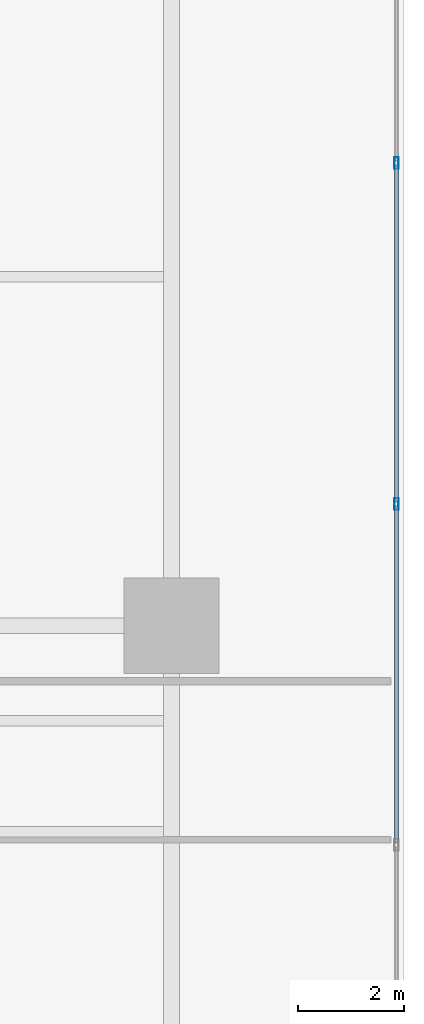
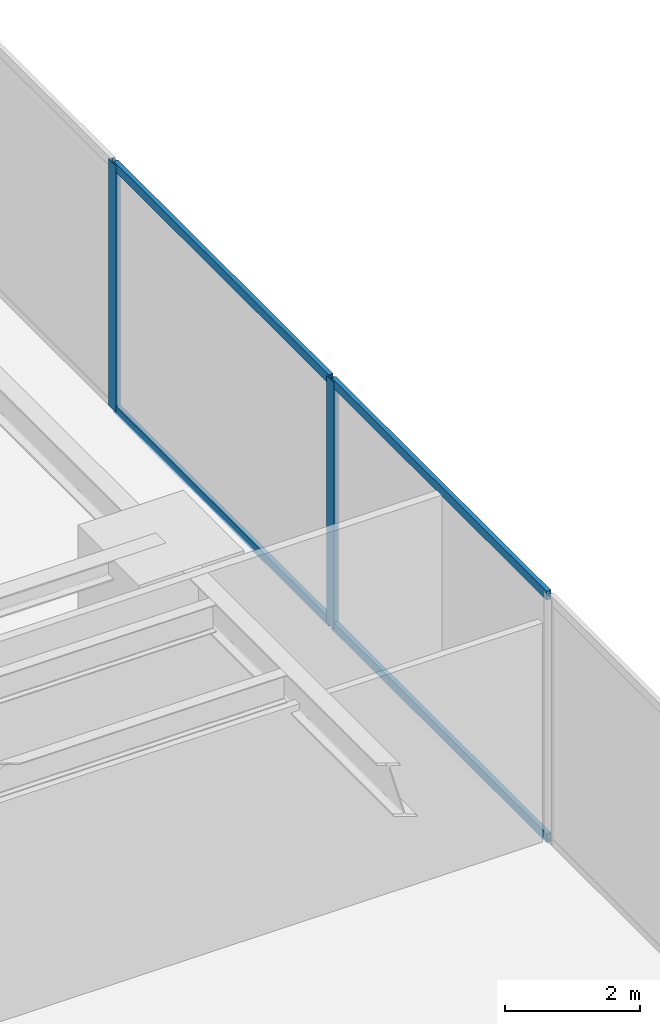
# One storey, part 9 of 16: 6 members, 1 element without a shape of its own.
"""IFC4 building model written with IfcOpenShell, lengths in metres."""

from ifc_helpers import new_model, si_unit, direction, frame, origin, origin_with_axes, origin_2d, place, context, subcontext, project, spatial, hollow_rectangle, extrude, source, transform, mapped, material, layer, layer_set, material_profile, profile_set, type_object, element, aggregate, save


model = new_model("IFC4")

# Units and contexts
model_context = context("Model", 3, precision=1e-05, world=origin(), true_north=direction((0.0, 1.0)))
body_context = subcontext(model_context, "Body", "Model", "MODEL_VIEW")
ifc_project = project(units=[si_unit("LENGTHUNIT", "METRE"), si_unit("AREAUNIT", "SQUARE_METRE"), si_unit("VOLUMEUNIT", "CUBIC_METRE"), si_unit("PLANEANGLEUNIT", "RADIAN"), si_unit("MASSUNIT", "GRAM", prefix="KILO")], contexts=[model_context])

# Site, building, storey
site_placement = place(None, origin())
site = spatial("IfcSite", under=ifc_project, at=site_placement, CompositionType="ELEMENT")
building_placement = place(site_placement, origin())
building = spatial("IfcBuilding", under=site, at=building_placement, Name="Kolvaren Waterfront Exchange", CompositionType="ELEMENT")
storey_placement = place(building_placement, frame((0.0, 0.0, 15.199951171875)))
storey = spatial("IfcBuildingStorey", under=building, at=storey_placement, Name="L04", CompositionType="ELEMENT", Elevation=15.199951171875)

# Curtain wall, members
ifc_material_1 = material(Name="Anodised bronze aluminium 6063-T6", Category="aluminium")
ifc_layer = layer(ifc_material_1, 0.219970703125, Name="Anodised bronze aluminium 6063-T6")
ifc_layer_set = layer_set([ifc_layer], Name="Anodised bronze aluminium 6063-T6")
curtain_wall_type = type_object("IfcCurtainWallType", Name="ARC-CW-SYS4", PredefinedType="USERDEFINED", material=ifc_layer_set)
curtain_wall_placement = place(storey_placement, origin())
curtain_wall = element("IfcCurtainWall", 1, at=curtain_wall_placement, inside=storey, type_object=curtain_wall_type, Name="L04 stick curtain wall CW4 (CW-L04-E1)", ObjectType="STICK CURTAIN WALL", PredefinedType="USERDEFINED")
ifc_material_2 = material(Name="Anodised aluminium 6063-T6", Category="aluminium")
ifc_material_profile_1 = material_profile(ifc_material_2, hollow_rectangle(XDim=0.080078125, YDim=0.219970703125, WallThickness=0.0048828125, at=origin_2d()), Name="ALU-MUL-220x80x5")
ifc_profile_set_1 = profile_set([ifc_material_profile_1], Name="Anodised aluminium 6063-T6")
member_type_1 = type_object("IfcMemberType", Name="ARC-CWM-220", PredefinedType="MULLION", material=ifc_profile_set_1)
shared_shape_1 = source(origin_with_axes(), body_context, "Body", "SweptSolid", [
    extrude(hollow_rectangle(XDim=0.080078125, YDim=0.219970703125, WallThickness=0.0048828125, at=origin_2d()), origin(), (0.0, 0.0, 1.0), 4.4599609375),
])
member_1_placement = place(storey_placement, frame((64.659912109375, 19.705078125, 0.0), z_axis=(0.0, 0.0, 1.0), x_axis=(-1.0, 0.0, 0.0)))
member_1 = element("IfcMember", 2, at=member_1_placement, type_object=member_type_1, Name="CW4 mullion 4", PredefinedType="MULLION", context=body_context, shape_type="MappedRepresentation", body=[
    mapped(shared_shape_1, transform((0.0, 0.0, 0.0), x_axis=(1.0, 0.0, 0.0), y_axis=(0.0, 1.0, 0.0), z_axis=(0.0, 0.0, 1.0), scale=1.0)),
])
member_2_placement = place(storey_placement, frame((64.659912109375, 26.15673828125, 0.0), z_axis=(0.0, 0.0, 1.0), x_axis=(-1.0, 0.0, 0.0)))
member_2 = element("IfcMember", 3, at=member_2_placement, type_object=member_type_1, Name="CW4 mullion 5", PredefinedType="MULLION", context=body_context, shape_type="MappedRepresentation", body=[
    mapped(shared_shape_1, transform((0.0, 0.0, 0.0), x_axis=(1.0, 0.0, 0.0), y_axis=(0.0, 1.0, 0.0), z_axis=(0.0, 0.0, 1.0), scale=1.0)),
])
ifc_material_profile_2 = material_profile(ifc_material_2, hollow_rectangle(XDim=0.074951171875, YDim=0.159912109375, WallThickness=0.00439453125, at=origin_2d()), Name="ALU-TRN-160x75x4.5")
ifc_profile_set_2 = profile_set([ifc_material_profile_2], Name="Anodised aluminium 6063-T6")
member_type_2 = type_object("IfcMemberType", Name="ARC-CWT-160", PredefinedType="USERDEFINED", material=ifc_profile_set_2)
shared_shape_2 = source(origin_with_axes(), body_context, "Body", "SweptSolid", [
    extrude(hollow_rectangle(XDim=0.074951171875, YDim=0.159912109375, WallThickness=0.00439453125, at=origin_2d()), origin(), (0.0, 0.0, 1.0), 6.371826171875),
])
member_3_placement = place(storey_placement, frame((64.659912109375, 13.293212890625, 0.03759765625), z_axis=(0.0, 1.0, 0.0), x_axis=(-1.0, 0.0, 0.0)))
member_3 = element("IfcMember", 4, at=member_3_placement, type_object=member_type_2, Name="CW4 transom 3.1", ObjectType="TRANSOM", PredefinedType="USERDEFINED", context=body_context, shape_type="MappedRepresentation", body=[
    mapped(shared_shape_2, transform((0.0, 0.0, 0.0), x_axis=(1.0, 0.0, 0.0), y_axis=(0.0, 1.0, 0.0), z_axis=(0.0, 0.0, 1.0), scale=1.0)),
])
member_4_placement = place(storey_placement, frame((64.659912109375, 13.293212890625, 4.422607421875), z_axis=(0.0, 1.0, 0.0), x_axis=(-1.0, 0.0, 0.0)))
member_4 = element("IfcMember", 5, at=member_4_placement, type_object=member_type_2, Name="CW4 transom 3.2", ObjectType="TRANSOM", PredefinedType="USERDEFINED", context=body_context, shape_type="MappedRepresentation", body=[
    mapped(shared_shape_2, transform((0.0, 0.0, 0.0), x_axis=(1.0, 0.0, 0.0), y_axis=(0.0, 1.0, 0.0), z_axis=(0.0, 0.0, 1.0), scale=1.0)),
])
shared_shape_3 = source(origin_with_axes(), body_context, "Body", "SweptSolid", [
    extrude(hollow_rectangle(XDim=0.074951171875, YDim=0.159912109375, WallThickness=0.00439453125, at=origin_2d()), origin(), (0.0, 0.0, 1.0), 6.37158203125),
])
member_5_placement = place(storey_placement, frame((64.659912109375, 19.7451171875, 0.03759765625), z_axis=(0.0, 1.0, 0.0), x_axis=(-1.0, 0.0, 0.0)))
member_5 = element("IfcMember", 6, at=member_5_placement, type_object=member_type_2, Name="CW4 transom 4.1", ObjectType="TRANSOM", PredefinedType="USERDEFINED", context=body_context, shape_type="MappedRepresentation", body=[
    mapped(shared_shape_3, transform((0.0, 0.0, 0.0), x_axis=(1.0, 0.0, 0.0), y_axis=(0.0, 1.0, 0.0), z_axis=(0.0, 0.0, 1.0), scale=1.0)),
])
member_6_placement = place(storey_placement, frame((64.659912109375, 19.7451171875, 4.422607421875), z_axis=(0.0, 1.0, 0.0), x_axis=(-1.0, 0.0, 0.0)))
member_6 = element("IfcMember", 7, at=member_6_placement, type_object=member_type_2, Name="CW4 transom 4.2", ObjectType="TRANSOM", PredefinedType="USERDEFINED", context=body_context, shape_type="MappedRepresentation", body=[
    mapped(shared_shape_3, transform((0.0, 0.0, 0.0), x_axis=(1.0, 0.0, 0.0), y_axis=(0.0, 1.0, 0.0), z_axis=(0.0, 0.0, 1.0), scale=1.0)),
])
aggregate(curtain_wall, [member_1, member_2, member_3, member_4, member_5, member_6])

save(model, "model.ifc")
